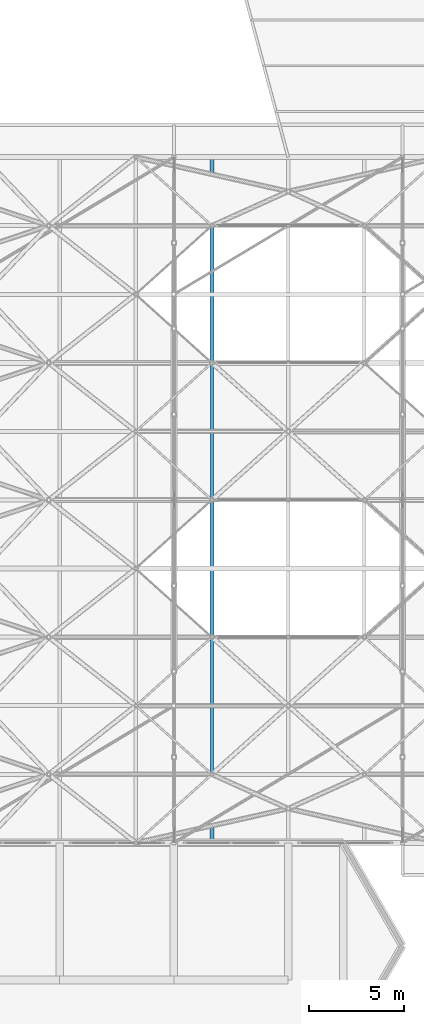
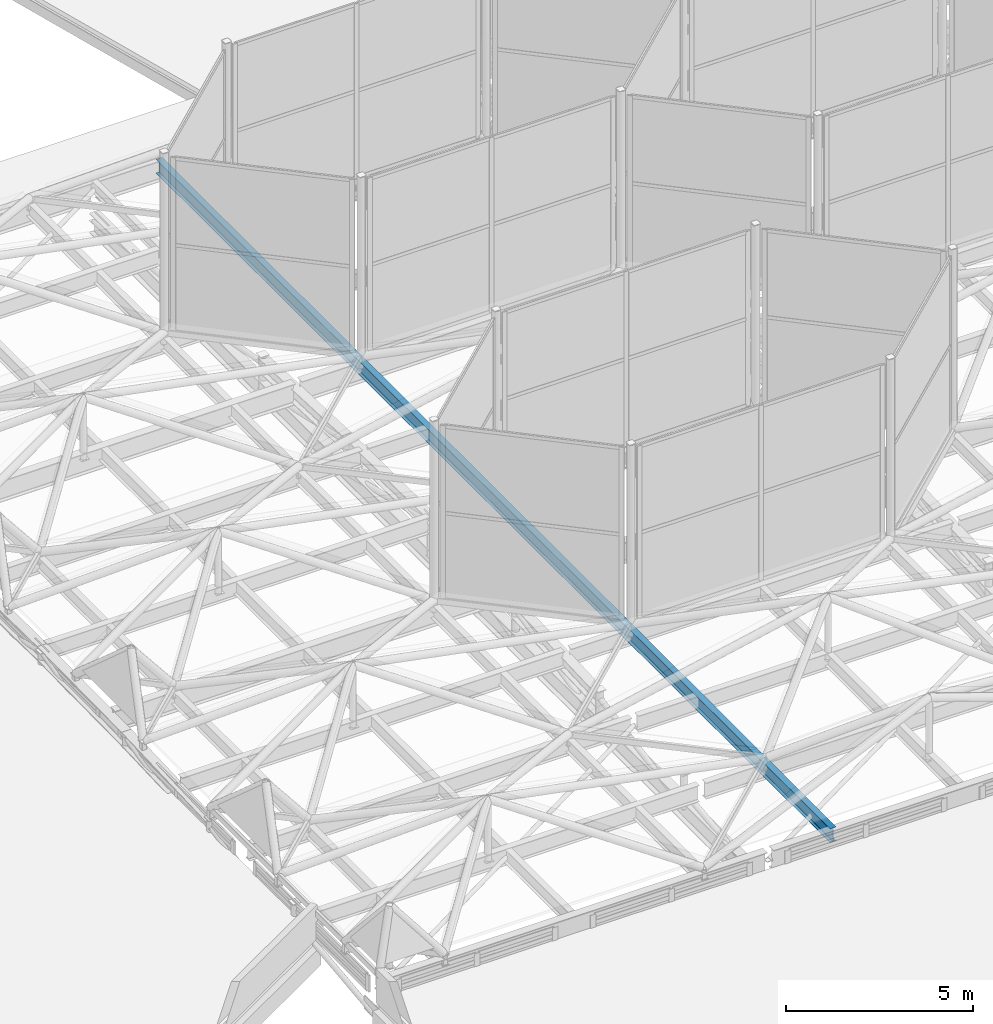
# One storey, part 61 of 239: 1 beam.
"""IFC4 building model written with IfcOpenShell, lengths in metres."""

from ifc_helpers import new_model, si_unit, direction, frame, origin, origin_2d, place, context, subcontext, project, spatial, i_section, extrude, material, material_profile, profile_set, type_object, element, save


model = new_model("IFC4")

# Units and contexts
model_context = context("Model", 3, precision=1e-05, world=origin(), true_north=direction((0.0, 1.0)))
body_context = subcontext(model_context, "Body", "Model", "MODEL_VIEW")
ifc_project = project(units=[si_unit("LENGTHUNIT", "METRE"), si_unit("AREAUNIT", "SQUARE_METRE"), si_unit("VOLUMEUNIT", "CUBIC_METRE"), si_unit("PLANEANGLEUNIT", "RADIAN"), si_unit("MASSUNIT", "GRAM", prefix="KILO")], contexts=[model_context])

# Site, building, storey
site_placement = place(None, origin())
site = spatial("IfcSite", under=ifc_project, at=site_placement, CompositionType="ELEMENT")
building_placement = place(site_placement, origin())
building = spatial("IfcBuilding", under=site, at=building_placement, Name="Dunvalen Ferry Terminal", CompositionType="ELEMENT")
storey_placement = place(building_placement, frame((0.0, 0.0, 9.840087890625)))
storey = spatial("IfcBuildingStorey", under=building, at=storey_placement, Name="L02", CompositionType="ELEMENT", Elevation=9.840087890625)

# Beam
ifc_material = material(Name="Steel S355", Category="steel")
ifc_material_profile = material_profile(ifc_material, i_section(OverallWidth=0.1904296875, OverallDepth=0.45703125, WebThickness=0.009033203125, FlangeThickness=0.014404296875, FilletRadius=0.01025390625, at=origin_2d()), Name="Steel S355")
ifc_profile_set = profile_set([ifc_material_profile], Name="Steel S355")
beam_type = type_object("IfcBeamType", Name="STR-BM-UKB457", PredefinedType="BEAM", material=ifc_profile_set)
beam_placement = place(storey_placement, frame((26.0, 50.39990234375, 0.771484375), z_axis=(0.0, 1.0, 0.0), x_axis=(-1.0, 0.0, 0.0)))
element("IfcBeam", 1, at=beam_placement, inside=storey, type_object=beam_type, Name="Departure Hall Hex-Grid Cross Beam B2.1", PredefinedType="BEAM", context=body_context, shape_type="SweptSolid", body=[
    extrude(i_section(OverallWidth=0.1904296875, OverallDepth=0.45703125, WebThickness=0.009033203125, FlangeThickness=0.014404296875, FilletRadius=0.01025390625, at=origin_2d()), origin(), (0.0, 0.0, 1.0), 36.0),
])

save(model, "model.ifc")
